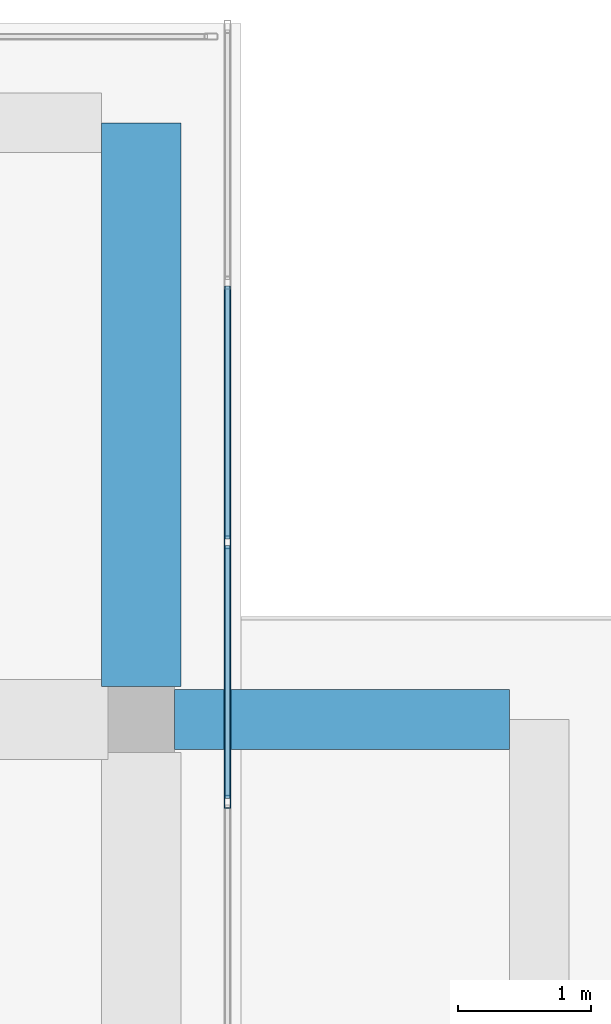
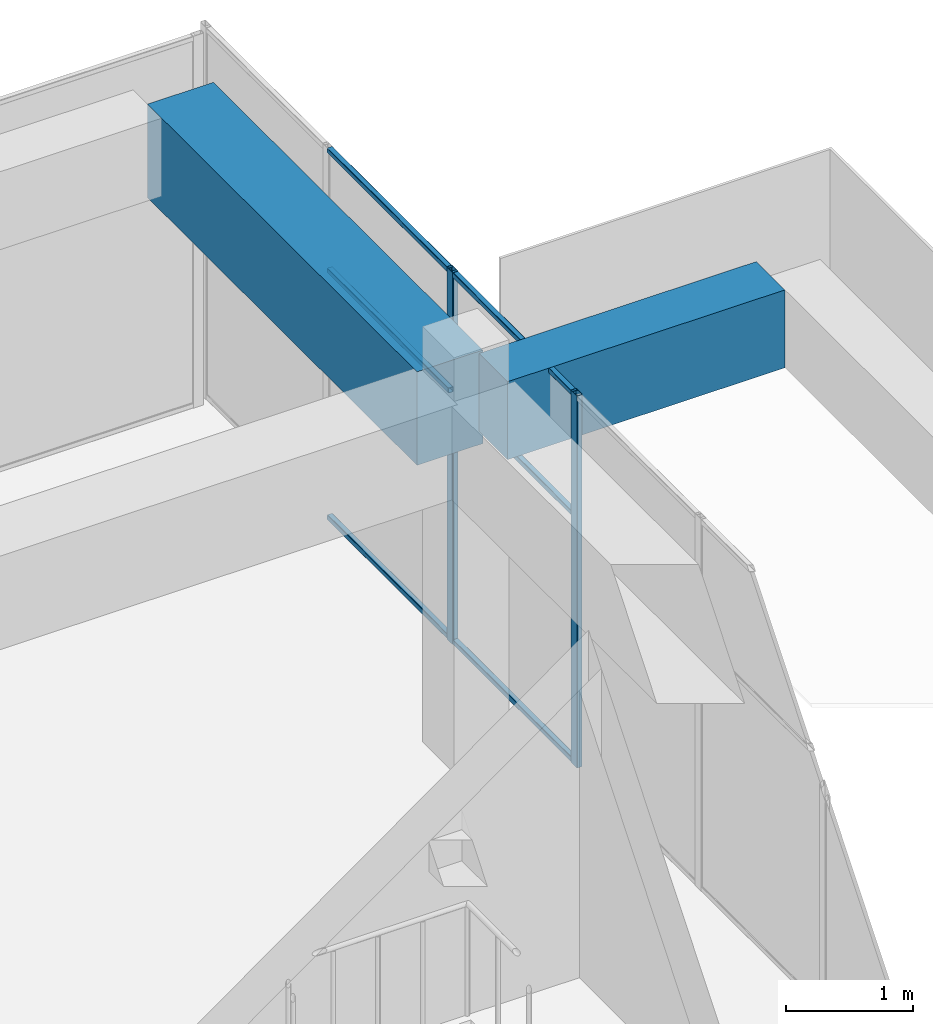
# One storey, part 27 of 36: 8 members, 2 beams, 1 element without a shape of its own.
"""IFC4 building model written with IfcOpenShell, lengths in metres."""

from ifc_helpers import new_model, si_unit, direction, frame, origin, origin_2d, place, context, subcontext, project, spatial, rectangle, hollow_rectangle, extrude, material, layer, layer_set, material_profile, profile_set, type_object, element, aggregate, save


model = new_model("IFC4")

# Units and contexts
model_context = context("Model", 3, precision=1e-05, world=origin(), true_north=direction((0.0, 1.0)))
body_context = subcontext(model_context, "Body", "Model", "MODEL_VIEW")
ifc_project = project(units=[si_unit("LENGTHUNIT", "METRE"), si_unit("AREAUNIT", "SQUARE_METRE"), si_unit("VOLUMEUNIT", "CUBIC_METRE"), si_unit("PLANEANGLEUNIT", "RADIAN"), si_unit("MASSUNIT", "GRAM", prefix="KILO")], contexts=[model_context])

# Site, building, storey
site_placement = place(None, origin())
site = spatial("IfcSite", under=ifc_project, at=site_placement, CompositionType="ELEMENT")
building_placement = place(site_placement, origin())
building = spatial("IfcBuilding", under=site, at=building_placement, Name="Tuart Plaza Theatre", CompositionType="ELEMENT")
storey_placement = place(building_placement, frame((0.0, 0.0, 61.5)))
storey = spatial("IfcBuildingStorey", under=building, at=storey_placement, Name="L15", CompositionType="ELEMENT", Elevation=61.5)

# Beams
ifc_material_1 = material(Name="Concrete N40 (40 MPa)", Category="concrete")
ifc_material_profile_1 = material_profile(ifc_material_1, rectangle(XDim=0.449951171875, YDim=0.75, at=origin_2d()), Name="BEAM 450x750 Concrete N40 (40 MPa)")
ifc_profile_set_1 = profile_set([ifc_material_profile_1], Name="Concrete N40 (40 MPa)")
beam_type_1 = type_object("IfcBeamType", Name="BEAM 450x750 Concrete N40 (40 MPa)", PredefinedType="BEAM", material=ifc_profile_set_1)
beam_1_placement = place(storey_placement, frame((141.25, 92.0, 3.205078125), z_axis=(1.0, 0.0, 0.0), x_axis=(0.0, 1.0, 0.0)))
element("IfcBeam", 1, at=beam_1_placement, inside=storey, type_object=beam_type_1, Name="RB348", PredefinedType="BEAM", context=body_context, shape_type="SweptSolid", body=[
    extrude(rectangle(XDim=0.449951171875, YDim=0.75, at=origin_2d()), origin(), (0.0, 0.0, 1.0), 2.52490234375),
])
ifc_material_2 = material(Name="Concrete N40 (40 MPa)", Category="concrete")
ifc_material_profile_2 = material_profile(ifc_material_2, rectangle(XDim=0.60009765625, YDim=0.89990234375, at=origin_2d()), Name="BEAM 600x900 Concrete N40 (40 MPa)")
ifc_profile_set_2 = profile_set([ifc_material_profile_2], Name="Concrete N40 (40 MPa)")
beam_type_2 = type_object("IfcBeamType", Name="BEAM 600x900 Concrete N40 (40 MPa)", PredefinedType="BEAM", material=ifc_profile_set_2)
beam_2_placement = place(storey_placement, frame((141.0, 92.25, 3.1298828125), z_axis=(0.0, 1.0, 0.0), x_axis=(-1.0, 0.0, 0.0)))
element("IfcBeam", 2, at=beam_2_placement, inside=storey, type_object=beam_type_2, Name="RB341", PredefinedType="BEAM", context=body_context, shape_type="SweptSolid", body=[
    extrude(rectangle(XDim=0.60009765625, YDim=0.89990234375, at=origin_2d()), origin(), (0.0, 0.0, 1.0), 4.25),
])

# Curtain wall, members
ifc_material_3 = material(Name="Aluminium and glass", Category="aluminium")
ifc_layer = layer(ifc_material_3, 0.10009765625)
ifc_layer_set = layer_set([ifc_layer], Name="CURTAIN WALL 2000 module")
curtain_wall_type = type_object("IfcCurtainWallType", Name="CURTAIN WALL 2000 module", PredefinedType="NOTDEFINED", material=ifc_layer_set)
curtain_wall_placement = place(storey_placement, origin())
curtain_wall = element("IfcCurtainWall", 3, at=curtain_wall_placement, inside=storey, type_object=curtain_wall_type, Name="CW116", PredefinedType="NOTDEFINED")
ifc_material_4 = material(Name="Aluminium 6063-T5", Category="aluminium")
ifc_material_profile_3 = material_profile(ifc_material_4, hollow_rectangle(XDim=0.050048828125, YDim=0.10009765625, WallThickness=0.00390625, InnerFilletRadius=0.00390625, OuterFilletRadius=0.008056640625, at=origin_2d()), Name="RHS 100x50x4")
ifc_profile_set_3 = profile_set([ifc_material_profile_3], Name="Aluminium 6063-T5")
member_type_1 = type_object("IfcMemberType", Name="MULLION RHS 100x50x4", PredefinedType="MULLION", material=ifc_profile_set_3)
member_1_placement = place(storey_placement, frame((141.64990234375, 91.378662109375, 0.0), z_axis=(0.0, 0.0, 1.0), x_axis=(-1.0, 0.0, 0.0)))
member_1 = element("IfcMember", 4, at=member_1_placement, type_object=member_type_1, Name="CW116 mullion 5", PredefinedType="MULLION", context=body_context, shape_type="SweptSolid", body=[
    extrude(hollow_rectangle(XDim=0.050048828125, YDim=0.10009765625, WallThickness=0.00390625, InnerFilletRadius=0.00390625, OuterFilletRadius=0.008056640625, at=origin_2d()), origin(), (0.0, 0.0, 1.0), 3.580078125),
])
member_2_placement = place(storey_placement, frame((141.64990234375, 93.335693359375, 0.0), z_axis=(0.0, 0.0, 1.0), x_axis=(-1.0, 0.0, 0.0)))
member_2 = element("IfcMember", 5, at=member_2_placement, type_object=member_type_1, Name="CW116 mullion 6", PredefinedType="MULLION", context=body_context, shape_type="SweptSolid", body=[
    extrude(hollow_rectangle(XDim=0.050048828125, YDim=0.10009765625, WallThickness=0.00390625, InnerFilletRadius=0.00390625, OuterFilletRadius=0.008056640625, at=origin_2d()), origin(), (0.0, 0.0, 1.0), 3.580078125),
])
ifc_material_5 = material(Name="Aluminium 6063-T5", Category="aluminium")
ifc_material_profile_4 = material_profile(ifc_material_5, hollow_rectangle(XDim=0.050048828125, YDim=0.050048828125, WallThickness=0.00390625, InnerFilletRadius=0.00390625, OuterFilletRadius=0.008056640625, at=origin_2d()), Name="RHS 50x50x4")
ifc_profile_set_4 = profile_set([ifc_material_profile_4], Name="Aluminium 6063-T5")
member_type_2 = type_object("IfcMemberType", Name="TRANSOM RHS 50x50x4", PredefinedType="USERDEFINED", material=ifc_profile_set_4)
member_3_placement = place(storey_placement, frame((141.64990234375, 91.403564453125, 0.02490234375), z_axis=(0.0, 1.0, 0.0), x_axis=(-1.0, 0.0, 0.0)))
member_3 = element("IfcMember", 6, at=member_3_placement, type_object=member_type_2, Name="CW116 transom 5.1", ObjectType="TRANSOM", PredefinedType="USERDEFINED", context=body_context, shape_type="SweptSolid", body=[
    extrude(hollow_rectangle(XDim=0.050048828125, YDim=0.050048828125, WallThickness=0.00390625, InnerFilletRadius=0.00390625, OuterFilletRadius=0.008056640625, at=origin_2d()), origin(), (0.0, 0.0, 1.0), 1.9072265625),
])
member_4_placement = place(storey_placement, frame((141.64990234375, 91.403564453125, 2.39990234375), z_axis=(0.0, 1.0, 0.0), x_axis=(-1.0, 0.0, 0.0)))
member_4 = element("IfcMember", 7, at=member_4_placement, type_object=member_type_2, Name="CW116 transom 5.2", ObjectType="TRANSOM", PredefinedType="USERDEFINED", context=body_context, shape_type="SweptSolid", body=[
    extrude(hollow_rectangle(XDim=0.050048828125, YDim=0.050048828125, WallThickness=0.00390625, InnerFilletRadius=0.00390625, OuterFilletRadius=0.008056640625, at=origin_2d()), origin(), (0.0, 0.0, 1.0), 1.9072265625),
])
member_5_placement = place(storey_placement, frame((141.64990234375, 91.403564453125, 3.554931640625), z_axis=(0.0, 1.0, 0.0), x_axis=(-1.0, 0.0, 0.0)))
member_5 = element("IfcMember", 8, at=member_5_placement, type_object=member_type_2, Name="CW116 transom 5.3", ObjectType="TRANSOM", PredefinedType="USERDEFINED", context=body_context, shape_type="SweptSolid", body=[
    extrude(hollow_rectangle(XDim=0.050048828125, YDim=0.050048828125, WallThickness=0.00390625, InnerFilletRadius=0.00390625, OuterFilletRadius=0.008056640625, at=origin_2d()), origin(), (0.0, 0.0, 1.0), 1.9072265625),
])
member_6_placement = place(storey_placement, frame((141.64990234375, 93.360595703125, 0.02490234375), z_axis=(0.0, 1.0, 0.0), x_axis=(-1.0, 0.0, 0.0)))
member_6 = element("IfcMember", 9, at=member_6_placement, type_object=member_type_2, Name="CW116 transom 6.1", ObjectType="TRANSOM", PredefinedType="USERDEFINED", context=body_context, shape_type="SweptSolid", body=[
    extrude(hollow_rectangle(XDim=0.050048828125, YDim=0.050048828125, WallThickness=0.00390625, InnerFilletRadius=0.00390625, OuterFilletRadius=0.008056640625, at=origin_2d()), origin(), (0.0, 0.0, 1.0), 1.9072265625),
])
member_7_placement = place(storey_placement, frame((141.64990234375, 93.360595703125, 2.39990234375), z_axis=(0.0, 1.0, 0.0), x_axis=(-1.0, 0.0, 0.0)))
member_7 = element("IfcMember", 10, at=member_7_placement, type_object=member_type_2, Name="CW116 transom 6.2", ObjectType="TRANSOM", PredefinedType="USERDEFINED", context=body_context, shape_type="SweptSolid", body=[
    extrude(hollow_rectangle(XDim=0.050048828125, YDim=0.050048828125, WallThickness=0.00390625, InnerFilletRadius=0.00390625, OuterFilletRadius=0.008056640625, at=origin_2d()), origin(), (0.0, 0.0, 1.0), 1.9072265625),
])
member_8_placement = place(storey_placement, frame((141.64990234375, 93.360595703125, 3.554931640625), z_axis=(0.0, 1.0, 0.0), x_axis=(-1.0, 0.0, 0.0)))
member_8 = element("IfcMember", 11, at=member_8_placement, type_object=member_type_2, Name="CW116 transom 6.3", ObjectType="TRANSOM", PredefinedType="USERDEFINED", context=body_context, shape_type="SweptSolid", body=[
    extrude(hollow_rectangle(XDim=0.050048828125, YDim=0.050048828125, WallThickness=0.00390625, InnerFilletRadius=0.00390625, OuterFilletRadius=0.008056640625, at=origin_2d()), origin(), (0.0, 0.0, 1.0), 1.9072265625),
])
aggregate(curtain_wall, [member_1, member_2, member_3, member_4, member_5, member_6, member_7, member_8])

save(model, "model.ifc")
